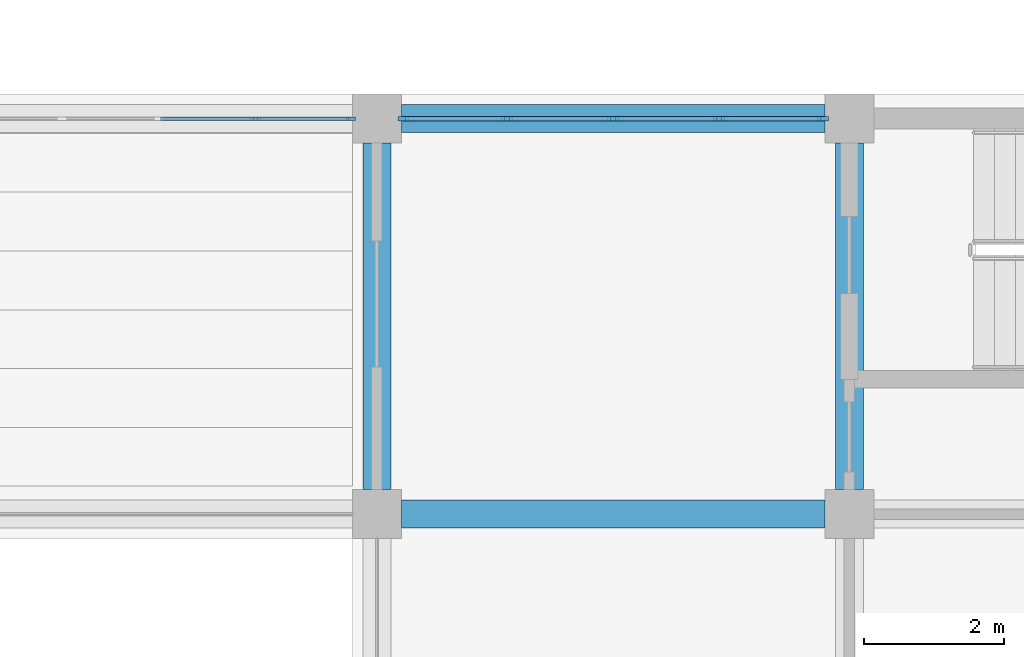
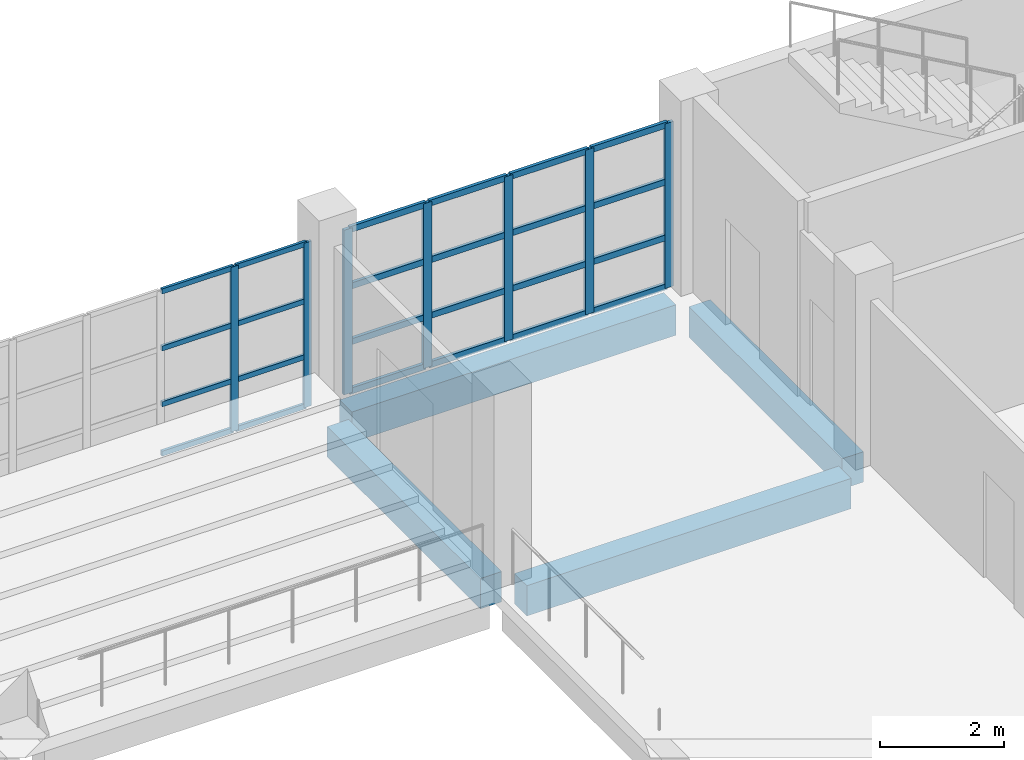
# One storey, part 11 of 36: 31 members, 4 beams, 2 elements without a shape of their own.
"""IFC4 building model written with IfcOpenShell, lengths in metres."""

from ifc_helpers import new_model, si_unit, direction, frame, origin, origin_2d, place, context, subcontext, project, spatial, rectangle, extrude, material, layer, layer_set, material_profile, profile_set, type_object, element, aggregate, save


model = new_model("IFC4")

# Units and contexts
model_context = context("Model", 3, precision=1e-05, world=origin(), true_north=direction((0.0, 1.0)))
body_context = subcontext(model_context, "Body", "Model", "MODEL_VIEW")
ifc_project = project(units=[si_unit("LENGTHUNIT", "METRE"), si_unit("AREAUNIT", "SQUARE_METRE"), si_unit("VOLUMEUNIT", "CUBIC_METRE"), si_unit("PLANEANGLEUNIT", "RADIAN"), si_unit("MASSUNIT", "GRAM", prefix="KILO")], contexts=[model_context])

# Site, building, storey
site_placement = place(None, origin())
site = spatial("IfcSite", under=ifc_project, at=site_placement, CompositionType="ELEMENT")
building_placement = place(site_placement, origin())
building = spatial("IfcBuilding", under=site, at=building_placement, Name="Corbel Stack Research Tower", CompositionType="ELEMENT")
storey_placement = place(building_placement, frame((0.0, 0.0, 7.199951171875)))
storey = spatial("IfcBuildingStorey", under=building, at=storey_placement, Name="L01", CompositionType="ELEMENT", Elevation=7.199951171875)

# Curtain wall, members
ifc_material_1 = material(Name="Aluminium", Category="aluminium")
ifc_layer_1 = layer(ifc_material_1, 0.14990234375)
ifc_layer_set_1 = layer_set([ifc_layer_1], Name="Aluminium")
curtain_wall_type_1 = type_object("IfcCurtainWallType", Name="CW5 main facade curtain wall", PredefinedType="NOTDEFINED", material=ifc_layer_set_1)
curtain_wall_1_placement = place(storey_placement, origin())
curtain_wall_1 = element("IfcCurtainWall", 1, at=curtain_wall_1_placement, inside=storey, type_object=curtain_wall_type_1, Name="Main facade curtain wall L01 4", PredefinedType="NOTDEFINED")
ifc_material_2 = material(Name="Aluminium", Category="aluminium")
ifc_material_profile_1 = material_profile(ifc_material_2, rectangle(XDim=0.06005859375, YDim=0.159912109375, at=origin_2d()), Name="Mullion 60 x 160")
ifc_profile_set_1 = profile_set([ifc_material_profile_1], Name="Aluminium")
member_type_1 = type_object("IfcMemberType", Name="CW5 mullion 60 x 160", PredefinedType="MULLION", material=ifc_profile_set_1)
member_1_placement = place(storey_placement, frame((87.330078125, 23.64990234375, 0.0), z_axis=(0.0, 0.0, 1.0), x_axis=(0.0, 1.0, 0.0)))
member_1 = element("IfcMember", 2, at=member_1_placement, type_object=member_type_1, Name="CW5 mullion 1", PredefinedType="MULLION", context=body_context, shape_type="SweptSolid", body=[
    extrude(rectangle(XDim=0.06005859375, YDim=0.159912109375, at=origin_2d()), origin(), (0.0, 0.0, 1.0), 3.25),
])
member_2_placement = place(storey_placement, frame((88.8125, 23.64990234375, 0.0), z_axis=(0.0, 0.0, 1.0), x_axis=(0.0, 1.0, 0.0)))
member_2 = element("IfcMember", 3, at=member_2_placement, type_object=member_type_1, Name="CW5 mullion 2", PredefinedType="MULLION", context=body_context, shape_type="SweptSolid", body=[
    extrude(rectangle(XDim=0.06005859375, YDim=0.159912109375, at=origin_2d()), origin(), (0.0, 0.0, 1.0), 3.25),
])
member_3_placement = place(storey_placement, frame((90.324951171875, 23.64990234375, 0.0), z_axis=(0.0, 0.0, 1.0), x_axis=(0.0, 1.0, 0.0)))
member_3 = element("IfcMember", 4, at=member_3_placement, type_object=member_type_1, Name="CW5 mullion 3", PredefinedType="MULLION", context=body_context, shape_type="SweptSolid", body=[
    extrude(rectangle(XDim=0.06005859375, YDim=0.159912109375, at=origin_2d()), origin(), (0.0, 0.0, 1.0), 3.25),
])
member_4_placement = place(storey_placement, frame((91.83740234375, 23.64990234375, 0.0), z_axis=(0.0, 0.0, 1.0), x_axis=(0.0, 1.0, 0.0)))
member_4 = element("IfcMember", 5, at=member_4_placement, type_object=member_type_1, Name="CW5 mullion 4", PredefinedType="MULLION", context=body_context, shape_type="SweptSolid", body=[
    extrude(rectangle(XDim=0.06005859375, YDim=0.159912109375, at=origin_2d()), origin(), (0.0, 0.0, 1.0), 3.25),
])
member_5_placement = place(storey_placement, frame((93.320068359375, 23.64990234375, 0.0), z_axis=(0.0, 0.0, 1.0), x_axis=(0.0, 1.0, 0.0)))
member_5 = element("IfcMember", 6, at=member_5_placement, type_object=member_type_1, Name="CW5 mullion 5", PredefinedType="MULLION", context=body_context, shape_type="SweptSolid", body=[
    extrude(rectangle(XDim=0.06005859375, YDim=0.159912109375, at=origin_2d()), origin(), (0.0, 0.0, 1.0), 3.25),
])
ifc_material_3 = material(Name="Aluminium", Category="aluminium")
ifc_material_profile_2 = material_profile(ifc_material_3, rectangle(XDim=0.06005859375, YDim=0.1201171875, at=origin_2d()), Name="Transom 60 x 120")
ifc_profile_set_2 = profile_set([ifc_material_profile_2], Name="Aluminium")
member_type_2 = type_object("IfcMemberType", Name="CW5 transom 60 x 120", PredefinedType="USERDEFINED", material=ifc_profile_set_2)
member_6_placement = place(storey_placement, frame((87.360107421875, 23.64990234375, 0.030029296875), z_axis=(1.0, 0.0, 0.0), x_axis=(0.0, 1.0, 0.0)))
member_6 = element("IfcMember", 7, at=member_6_placement, type_object=member_type_2, Name="CW5 transom 1.1", ObjectType="TRANSOM", PredefinedType="USERDEFINED", context=body_context, shape_type="SweptSolid", body=[
    extrude(rectangle(XDim=0.06005859375, YDim=0.1201171875, at=origin_2d()), origin(), (0.0, 0.0, 1.0), 1.42236328125),
])
member_7_placement = place(storey_placement, frame((87.360107421875, 23.64990234375, 1.0), z_axis=(1.0, 0.0, 0.0), x_axis=(0.0, 1.0, 0.0)))
member_7 = element("IfcMember", 8, at=member_7_placement, type_object=member_type_2, Name="CW5 transom 1.2", ObjectType="TRANSOM", PredefinedType="USERDEFINED", context=body_context, shape_type="SweptSolid", body=[
    extrude(rectangle(XDim=0.06005859375, YDim=0.1201171875, at=origin_2d()), origin(), (0.0, 0.0, 1.0), 1.42236328125),
])
member_8_placement = place(storey_placement, frame((87.360107421875, 23.64990234375, 2.10009765625), z_axis=(1.0, 0.0, 0.0), x_axis=(0.0, 1.0, 0.0)))
member_8 = element("IfcMember", 9, at=member_8_placement, type_object=member_type_2, Name="CW5 transom 1.3", ObjectType="TRANSOM", PredefinedType="USERDEFINED", context=body_context, shape_type="SweptSolid", body=[
    extrude(rectangle(XDim=0.06005859375, YDim=0.1201171875, at=origin_2d()), origin(), (0.0, 0.0, 1.0), 1.42236328125),
])
member_9_placement = place(storey_placement, frame((87.360107421875, 23.64990234375, 3.219970703125), z_axis=(1.0, 0.0, 0.0), x_axis=(0.0, 1.0, 0.0)))
member_9 = element("IfcMember", 10, at=member_9_placement, type_object=member_type_2, Name="CW5 transom 1.4", ObjectType="TRANSOM", PredefinedType="USERDEFINED", context=body_context, shape_type="SweptSolid", body=[
    extrude(rectangle(XDim=0.06005859375, YDim=0.1201171875, at=origin_2d()), origin(), (0.0, 0.0, 1.0), 1.42236328125),
])
member_10_placement = place(storey_placement, frame((88.842529296875, 23.64990234375, 0.030029296875), z_axis=(1.0, 0.0, 0.0), x_axis=(0.0, 1.0, 0.0)))
member_10 = element("IfcMember", 11, at=member_10_placement, type_object=member_type_2, Name="CW5 transom 2.1", ObjectType="TRANSOM", PredefinedType="USERDEFINED", context=body_context, shape_type="SweptSolid", body=[
    extrude(rectangle(XDim=0.06005859375, YDim=0.1201171875, at=origin_2d()), origin(), (0.0, 0.0, 1.0), 1.452392578125),
])
member_11_placement = place(storey_placement, frame((88.842529296875, 23.64990234375, 1.0), z_axis=(1.0, 0.0, 0.0), x_axis=(0.0, 1.0, 0.0)))
member_11 = element("IfcMember", 12, at=member_11_placement, type_object=member_type_2, Name="CW5 transom 2.2", ObjectType="TRANSOM", PredefinedType="USERDEFINED", context=body_context, shape_type="SweptSolid", body=[
    extrude(rectangle(XDim=0.06005859375, YDim=0.1201171875, at=origin_2d()), origin(), (0.0, 0.0, 1.0), 1.452392578125),
])
member_12_placement = place(storey_placement, frame((88.842529296875, 23.64990234375, 2.10009765625), z_axis=(1.0, 0.0, 0.0), x_axis=(0.0, 1.0, 0.0)))
member_12 = element("IfcMember", 13, at=member_12_placement, type_object=member_type_2, Name="CW5 transom 2.3", ObjectType="TRANSOM", PredefinedType="USERDEFINED", context=body_context, shape_type="SweptSolid", body=[
    extrude(rectangle(XDim=0.06005859375, YDim=0.1201171875, at=origin_2d()), origin(), (0.0, 0.0, 1.0), 1.452392578125),
])
member_13_placement = place(storey_placement, frame((88.842529296875, 23.64990234375, 3.219970703125), z_axis=(1.0, 0.0, 0.0), x_axis=(0.0, 1.0, 0.0)))
member_13 = element("IfcMember", 14, at=member_13_placement, type_object=member_type_2, Name="CW5 transom 2.4", ObjectType="TRANSOM", PredefinedType="USERDEFINED", context=body_context, shape_type="SweptSolid", body=[
    extrude(rectangle(XDim=0.06005859375, YDim=0.1201171875, at=origin_2d()), origin(), (0.0, 0.0, 1.0), 1.452392578125),
])
member_14_placement = place(storey_placement, frame((90.35498046875, 23.64990234375, 0.030029296875), z_axis=(1.0, 0.0, 0.0), x_axis=(0.0, 1.0, 0.0)))
member_14 = element("IfcMember", 15, at=member_14_placement, type_object=member_type_2, Name="CW5 transom 3.1", ObjectType="TRANSOM", PredefinedType="USERDEFINED", context=body_context, shape_type="SweptSolid", body=[
    extrude(rectangle(XDim=0.06005859375, YDim=0.1201171875, at=origin_2d()), origin(), (0.0, 0.0, 1.0), 1.45263671875),
])
member_15_placement = place(storey_placement, frame((90.35498046875, 23.64990234375, 1.0), z_axis=(1.0, 0.0, 0.0), x_axis=(0.0, 1.0, 0.0)))
member_15 = element("IfcMember", 16, at=member_15_placement, type_object=member_type_2, Name="CW5 transom 3.2", ObjectType="TRANSOM", PredefinedType="USERDEFINED", context=body_context, shape_type="SweptSolid", body=[
    extrude(rectangle(XDim=0.06005859375, YDim=0.1201171875, at=origin_2d()), origin(), (0.0, 0.0, 1.0), 1.45263671875),
])
member_16_placement = place(storey_placement, frame((90.35498046875, 23.64990234375, 2.10009765625), z_axis=(1.0, 0.0, 0.0), x_axis=(0.0, 1.0, 0.0)))
member_16 = element("IfcMember", 17, at=member_16_placement, type_object=member_type_2, Name="CW5 transom 3.3", ObjectType="TRANSOM", PredefinedType="USERDEFINED", context=body_context, shape_type="SweptSolid", body=[
    extrude(rectangle(XDim=0.06005859375, YDim=0.1201171875, at=origin_2d()), origin(), (0.0, 0.0, 1.0), 1.45263671875),
])
member_17_placement = place(storey_placement, frame((90.35498046875, 23.64990234375, 3.219970703125), z_axis=(1.0, 0.0, 0.0), x_axis=(0.0, 1.0, 0.0)))
member_17 = element("IfcMember", 18, at=member_17_placement, type_object=member_type_2, Name="CW5 transom 3.4", ObjectType="TRANSOM", PredefinedType="USERDEFINED", context=body_context, shape_type="SweptSolid", body=[
    extrude(rectangle(XDim=0.06005859375, YDim=0.1201171875, at=origin_2d()), origin(), (0.0, 0.0, 1.0), 1.45263671875),
])
member_18_placement = place(storey_placement, frame((91.867431640625, 23.64990234375, 0.030029296875), z_axis=(1.0, 0.0, 0.0), x_axis=(0.0, 1.0, 0.0)))
member_18 = element("IfcMember", 19, at=member_18_placement, type_object=member_type_2, Name="CW5 transom 4.1", ObjectType="TRANSOM", PredefinedType="USERDEFINED", context=body_context, shape_type="SweptSolid", body=[
    extrude(rectangle(XDim=0.06005859375, YDim=0.1201171875, at=origin_2d()), origin(), (0.0, 0.0, 1.0), 1.422607421875),
])
member_19_placement = place(storey_placement, frame((91.867431640625, 23.64990234375, 1.0), z_axis=(1.0, 0.0, 0.0), x_axis=(0.0, 1.0, 0.0)))
member_19 = element("IfcMember", 20, at=member_19_placement, type_object=member_type_2, Name="CW5 transom 4.2", ObjectType="TRANSOM", PredefinedType="USERDEFINED", context=body_context, shape_type="SweptSolid", body=[
    extrude(rectangle(XDim=0.06005859375, YDim=0.1201171875, at=origin_2d()), origin(), (0.0, 0.0, 1.0), 1.422607421875),
])
member_20_placement = place(storey_placement, frame((91.867431640625, 23.64990234375, 2.10009765625), z_axis=(1.0, 0.0, 0.0), x_axis=(0.0, 1.0, 0.0)))
member_20 = element("IfcMember", 21, at=member_20_placement, type_object=member_type_2, Name="CW5 transom 4.3", ObjectType="TRANSOM", PredefinedType="USERDEFINED", context=body_context, shape_type="SweptSolid", body=[
    extrude(rectangle(XDim=0.06005859375, YDim=0.1201171875, at=origin_2d()), origin(), (0.0, 0.0, 1.0), 1.422607421875),
])
member_21_placement = place(storey_placement, frame((91.867431640625, 23.64990234375, 3.219970703125), z_axis=(1.0, 0.0, 0.0), x_axis=(0.0, 1.0, 0.0)))
member_21 = element("IfcMember", 22, at=member_21_placement, type_object=member_type_2, Name="CW5 transom 4.4", ObjectType="TRANSOM", PredefinedType="USERDEFINED", context=body_context, shape_type="SweptSolid", body=[
    extrude(rectangle(XDim=0.06005859375, YDim=0.1201171875, at=origin_2d()), origin(), (0.0, 0.0, 1.0), 1.422607421875),
])
aggregate(curtain_wall_1, [member_1, member_2, member_3, member_4, member_5, member_6, member_7, member_8, member_9, member_10, member_11, member_12, member_13, member_14, member_15, member_16, member_17, member_18, member_19, member_20, member_21])

ifc_material_4 = material(Name="Aluminium", Category="aluminium")
ifc_layer_2 = layer(ifc_material_4, 0.139892578125)
ifc_layer_set_2 = layer_set([ifc_layer_2], Name="Aluminium")
curtain_wall_type_2 = type_object("IfcCurtainWallType", Name="CW6 gallery curtain wall", PredefinedType="NOTDEFINED", material=ifc_layer_set_2)
curtain_wall_2_placement = place(storey_placement, origin())
curtain_wall_2 = element("IfcCurtainWall", 23, at=curtain_wall_2_placement, inside=storey, type_object=curtain_wall_type_2, Name="Gallery curtain wall L01 12", PredefinedType="NOTDEFINED")
ifc_material_5 = material(Name="Aluminium", Category="aluminium")
ifc_material_profile_3 = material_profile(ifc_material_5, rectangle(XDim=0.050048828125, YDim=0.139892578125, at=origin_2d()), Name="Mullion 50 x 140")
ifc_profile_set_3 = profile_set([ifc_material_profile_3], Name="Aluminium")
member_type_3 = type_object("IfcMemberType", Name="CW6 mullion 50 x 140", PredefinedType="MULLION", material=ifc_profile_set_3)
member_22_placement = place(storey_placement, frame((85.216552734375, 23.64990234375, 0.0), z_axis=(0.0, 0.0, 1.0), x_axis=(0.0, 1.0, 0.0)))
member_22 = element("IfcMember", 24, at=member_22_placement, type_object=member_type_3, Name="CW6 mullion 6", PredefinedType="MULLION", context=body_context, shape_type="SweptSolid", body=[
    extrude(rectangle(XDim=0.050048828125, YDim=0.139892578125, at=origin_2d()), origin(), (0.0, 0.0, 1.0), 3.25),
])
member_23_placement = place(storey_placement, frame((86.574951171875, 23.64990234375, 0.0), z_axis=(0.0, 0.0, 1.0), x_axis=(0.0, 1.0, 0.0)))
member_23 = element("IfcMember", 25, at=member_23_placement, type_object=member_type_3, Name="CW6 mullion 7", PredefinedType="MULLION", context=body_context, shape_type="SweptSolid", body=[
    extrude(rectangle(XDim=0.050048828125, YDim=0.139892578125, at=origin_2d()), origin(), (0.0, 0.0, 1.0), 3.25),
])
ifc_material_6 = material(Name="Aluminium", Category="aluminium")
ifc_material_profile_4 = material_profile(ifc_material_6, rectangle(XDim=0.050048828125, YDim=0.10009765625, at=origin_2d()), Name="Transom 50 x 100")
ifc_profile_set_4 = profile_set([ifc_material_profile_4], Name="Aluminium")
member_type_4 = type_object("IfcMemberType", Name="CW6 transom 50 x 100", PredefinedType="USERDEFINED", material=ifc_profile_set_4)
member_24_placement = place(storey_placement, frame((83.8583984375, 23.64990234375, 0.025146484375), z_axis=(1.0, 0.0, 0.0), x_axis=(0.0, 1.0, 0.0)))
member_24 = element("IfcMember", 26, at=member_24_placement, type_object=member_type_4, Name="CW6 transom 5.1", ObjectType="TRANSOM", PredefinedType="USERDEFINED", context=body_context, shape_type="SweptSolid", body=[
    extrude(rectangle(XDim=0.050048828125, YDim=0.10009765625, at=origin_2d()), origin(), (0.0, 0.0, 1.0), 1.333251953125),
])
member_25_placement = place(storey_placement, frame((83.8583984375, 23.64990234375, 1.0), z_axis=(1.0, 0.0, 0.0), x_axis=(0.0, 1.0, 0.0)))
member_25 = element("IfcMember", 27, at=member_25_placement, type_object=member_type_4, Name="CW6 transom 5.2", ObjectType="TRANSOM", PredefinedType="USERDEFINED", context=body_context, shape_type="SweptSolid", body=[
    extrude(rectangle(XDim=0.050048828125, YDim=0.10009765625, at=origin_2d()), origin(), (0.0, 0.0, 1.0), 1.333251953125),
])
member_26_placement = place(storey_placement, frame((83.8583984375, 23.64990234375, 2.10009765625), z_axis=(1.0, 0.0, 0.0), x_axis=(0.0, 1.0, 0.0)))
member_26 = element("IfcMember", 28, at=member_26_placement, type_object=member_type_4, Name="CW6 transom 5.3", ObjectType="TRANSOM", PredefinedType="USERDEFINED", context=body_context, shape_type="SweptSolid", body=[
    extrude(rectangle(XDim=0.050048828125, YDim=0.10009765625, at=origin_2d()), origin(), (0.0, 0.0, 1.0), 1.333251953125),
])
member_27_placement = place(storey_placement, frame((83.8583984375, 23.64990234375, 3.22509765625), z_axis=(1.0, 0.0, 0.0), x_axis=(0.0, 1.0, 0.0)))
member_27 = element("IfcMember", 29, at=member_27_placement, type_object=member_type_4, Name="CW6 transom 5.4", ObjectType="TRANSOM", PredefinedType="USERDEFINED", context=body_context, shape_type="SweptSolid", body=[
    extrude(rectangle(XDim=0.050048828125, YDim=0.10009765625, at=origin_2d()), origin(), (0.0, 0.0, 1.0), 1.333251953125),
])
member_28_placement = place(storey_placement, frame((85.24169921875, 23.64990234375, 0.025146484375), z_axis=(1.0, 0.0, 0.0), x_axis=(0.0, 1.0, 0.0)))
member_28 = element("IfcMember", 30, at=member_28_placement, type_object=member_type_4, Name="CW6 transom 6.1", ObjectType="TRANSOM", PredefinedType="USERDEFINED", context=body_context, shape_type="SweptSolid", body=[
    extrude(rectangle(XDim=0.050048828125, YDim=0.10009765625, at=origin_2d()), origin(), (0.0, 0.0, 1.0), 1.308349609375),
])
member_29_placement = place(storey_placement, frame((85.24169921875, 23.64990234375, 1.0), z_axis=(1.0, 0.0, 0.0), x_axis=(0.0, 1.0, 0.0)))
member_29 = element("IfcMember", 31, at=member_29_placement, type_object=member_type_4, Name="CW6 transom 6.2", ObjectType="TRANSOM", PredefinedType="USERDEFINED", context=body_context, shape_type="SweptSolid", body=[
    extrude(rectangle(XDim=0.050048828125, YDim=0.10009765625, at=origin_2d()), origin(), (0.0, 0.0, 1.0), 1.308349609375),
])
member_30_placement = place(storey_placement, frame((85.24169921875, 23.64990234375, 2.10009765625), z_axis=(1.0, 0.0, 0.0), x_axis=(0.0, 1.0, 0.0)))
member_30 = element("IfcMember", 32, at=member_30_placement, type_object=member_type_4, Name="CW6 transom 6.3", ObjectType="TRANSOM", PredefinedType="USERDEFINED", context=body_context, shape_type="SweptSolid", body=[
    extrude(rectangle(XDim=0.050048828125, YDim=0.10009765625, at=origin_2d()), origin(), (0.0, 0.0, 1.0), 1.308349609375),
])
member_31_placement = place(storey_placement, frame((85.24169921875, 23.64990234375, 3.22509765625), z_axis=(1.0, 0.0, 0.0), x_axis=(0.0, 1.0, 0.0)))
member_31 = element("IfcMember", 33, at=member_31_placement, type_object=member_type_4, Name="CW6 transom 6.4", ObjectType="TRANSOM", PredefinedType="USERDEFINED", context=body_context, shape_type="SweptSolid", body=[
    extrude(rectangle(XDim=0.050048828125, YDim=0.10009765625, at=origin_2d()), origin(), (0.0, 0.0, 1.0), 1.308349609375),
])
aggregate(curtain_wall_2, [member_22, member_23, member_24, member_25, member_26, member_27, member_28, member_29, member_30, member_31])

# Beams
ifc_material_7 = material(Name="Concrete C40/50", Category="concrete")
ifc_material_profile_5 = material_profile(ifc_material_7, rectangle(XDim=0.39990234375, YDim=0.60009765625, at=origin_2d()), Name="RC 400 x 600")
ifc_profile_set_5 = profile_set([ifc_material_profile_5], Name="Concrete C40/50")
beam_type = type_object("IfcBeamType", Name="HB1 RC beam 400 x 600", PredefinedType="BEAM", material=ifc_profile_set_5)
beam_1_placement = place(storey_placement, frame((87.300048828125, 18.0, -0.550048828125), z_axis=(1.0, 0.0, 0.0), x_axis=(0.0, 1.0, 0.0)))
element("IfcBeam", 34, at=beam_1_placement, inside=storey, type_object=beam_type, Name="Floor beam L01 H7HF-H8HF", PredefinedType="BEAM", context=body_context, shape_type="SweptSolid", body=[
    extrude(rectangle(XDim=0.39990234375, YDim=0.60009765625, at=origin_2d()), origin(), (0.0, 0.0, 1.0), 6.050048828125),
])
beam_2_placement = place(storey_placement, frame((86.949951171875, 18.35009765625, -0.550048828125), z_axis=(0.0, 1.0, 0.0), x_axis=(-1.0, 0.0, 0.0)))
element("IfcBeam", 35, at=beam_2_placement, inside=storey, type_object=beam_type, Name="Floor beam L01 H7HF-H7HG", PredefinedType="BEAM", context=body_context, shape_type="SweptSolid", body=[
    extrude(rectangle(XDim=0.39990234375, YDim=0.60009765625, at=origin_2d()), origin(), (0.0, 0.0, 1.0), 4.949951171875),
])
beam_3_placement = place(storey_placement, frame((87.300048828125, 23.64990234375, -0.550048828125), z_axis=(1.0, 0.0, 0.0), x_axis=(0.0, 1.0, 0.0)))
element("IfcBeam", 36, at=beam_3_placement, inside=storey, type_object=beam_type, Name="Floor beam L01 H7HG-H8HG", PredefinedType="BEAM", context=body_context, shape_type="SweptSolid", body=[
    extrude(rectangle(XDim=0.39990234375, YDim=0.60009765625, at=origin_2d()), origin(), (0.0, 0.0, 1.0), 6.050048828125),
])
beam_4_placement = place(storey_placement, frame((93.699951171875, 18.35009765625, -0.550048828125), z_axis=(0.0, 1.0, 0.0), x_axis=(-1.0, 0.0, 0.0)))
element("IfcBeam", 37, at=beam_4_placement, inside=storey, type_object=beam_type, Name="Floor beam L01 H8HF-H8HG", PredefinedType="BEAM", context=body_context, shape_type="SweptSolid", body=[
    extrude(rectangle(XDim=0.39990234375, YDim=0.60009765625, at=origin_2d()), origin(), (0.0, 0.0, 1.0), 4.949951171875),
])

save(model, "model.ifc")
